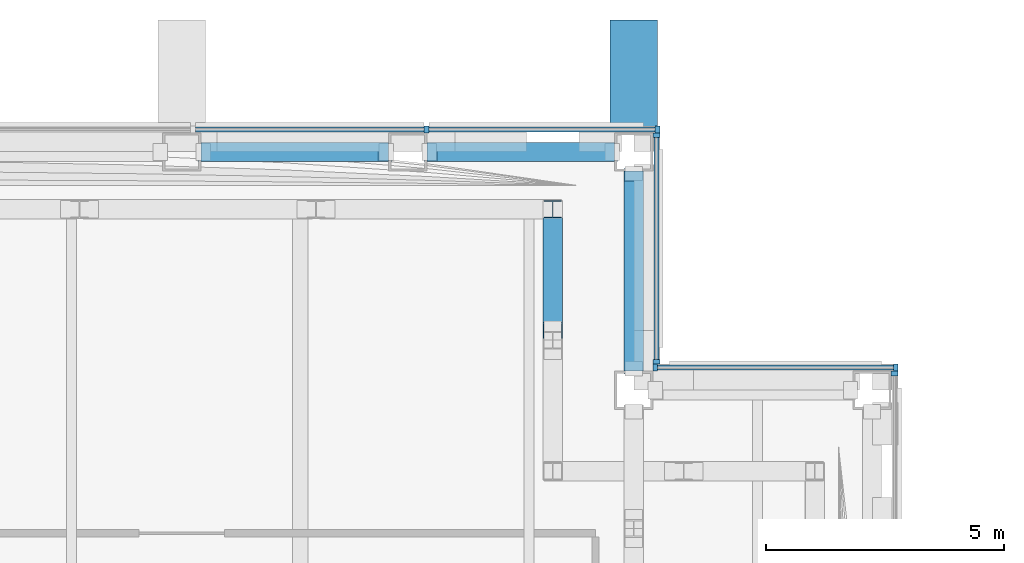
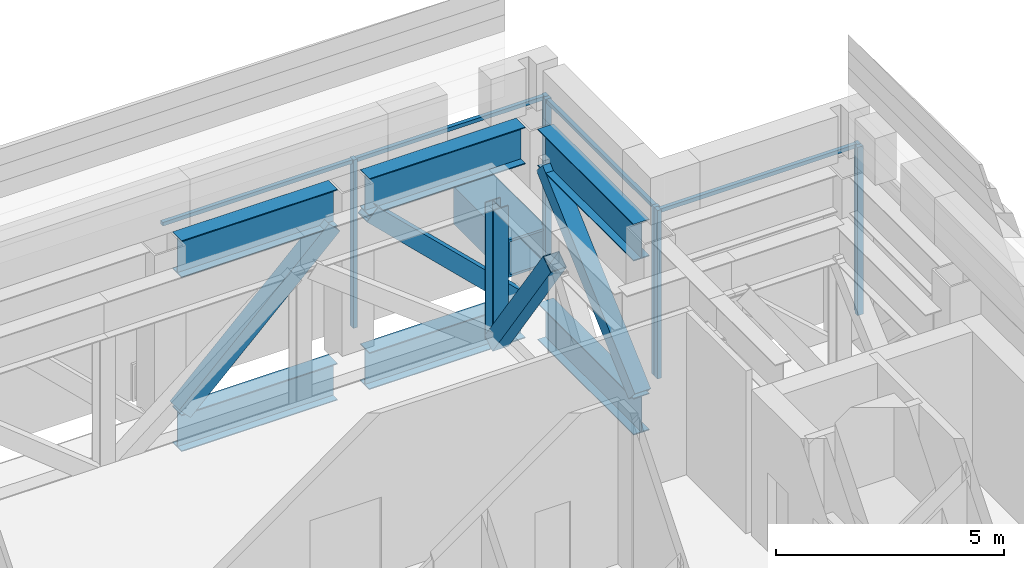
# One storey, part 9 of 29: 22 members, 1 beam, 4 elements without a shape of their own.
"""IFC4 building model written with IfcOpenShell, lengths in metres."""

from ifc_helpers import new_model, si_unit, direction, frame, origin, origin_2d, place, context, subcontext, project, spatial, rectangle, hollow_rectangle, i_section, extrude, material, material_profile, profile_set, type_object, element, aggregate, save


model = new_model("IFC4")

# Units and contexts
model_context = context("Model", 3, precision=1e-05, world=origin(), true_north=direction((0.0, 1.0)))
body_context = subcontext(model_context, "Body", "Model", "MODEL_VIEW")
ifc_project = project(units=[si_unit("LENGTHUNIT", "METRE"), si_unit("AREAUNIT", "SQUARE_METRE"), si_unit("VOLUMEUNIT", "CUBIC_METRE"), si_unit("PLANEANGLEUNIT", "RADIAN"), si_unit("MASSUNIT", "GRAM", prefix="KILO")], contexts=[model_context])

# Site, building, storey
site_placement = place(None, origin())
site = spatial("IfcSite", under=ifc_project, at=site_placement, CompositionType="ELEMENT")
building_placement = place(site_placement, origin())
building = spatial("IfcBuilding", under=site, at=building_placement, Name="Cobrizo Arcos Hotel Tower", CompositionType="ELEMENT")
storey_placement = place(building_placement, frame((0.0, 0.0, 186.5)))
storey = spatial("IfcBuildingStorey", under=building, at=storey_placement, Name="L48", CompositionType="ELEMENT", Elevation=186.5)

# Beam
ifc_material_1 = material(Name="Steel ASTM A572 Grade 50", Category="steel")
ifc_material_profile_1 = material_profile(ifc_material_1, hollow_rectangle(XDim=1.0, YDim=1.0, WallThickness=0.06005859375, at=origin_2d()), Name="BOX 1000X1000X60")
ifc_profile_set_1 = profile_set([ifc_material_profile_1], Name="Steel ASTM A572 Grade 50")
beam_type = type_object("IfcBeamType", Name="BOX 1000X1000X60 brace connector strut", PredefinedType="BEAM", material=ifc_profile_set_1)
beam_placement = place(storey_placement, frame((16.60009765625, 21.989990234375, 0.5), z_axis=(0.0, 1.0, 0.0), x_axis=(-1.0, 0.0, 0.0)))
element("IfcBeam", 1, at=beam_placement, inside=storey, type_object=beam_type, Name="Perimeter brace stub BS1, zone Z3, north face, offset +16.60 m, L48", PredefinedType="BEAM", context=body_context, shape_type="SweptSolid", body=[
    extrude(hollow_rectangle(XDim=1.0, YDim=1.0, WallThickness=0.06005859375, at=origin_2d()), origin(), (0.0, 0.0, 1.0), 2.380126953125),
])

# Curtain wall, member
ifc_material_2 = material(Name="Aluminium 6063-T6 anodised bronze", Category="aluminium")
curtain_wall_type = type_object("IfcCurtainWallType", Name="CW-D plant louvre wall", PredefinedType="NOTDEFINED", material=ifc_material_2)
curtain_wall_1_placement = place(storey_placement, origin())
curtain_wall_1 = element("IfcCurtainWall", 2, at=curtain_wall_1_placement, inside=storey, type_object=curtain_wall_type, Name="CW-D L48 E face", PredefinedType="NOTDEFINED")
ifc_material_profile_2 = material_profile(ifc_material_2, rectangle(XDim=0.14990234375, YDim=0.10009765625, at=origin_2d()), Name="CW-D mullion 150x100")
ifc_profile_set_2 = profile_set([ifc_material_profile_2], Name="Aluminium 6063-T6 anodised bronze")
member_type_1 = type_object("IfcMemberType", Name="CW-D mullion 150x100", PredefinedType="MULLION", material=ifc_profile_set_2)
member_1_placement = place(storey_placement, frame((22.074951171875, 16.949951171875, 0.0), z_axis=(0.0, 0.0, 1.0), x_axis=(1.0, 0.0, 0.0)))
member_1 = element("IfcMember", 3, at=member_1_placement, type_object=member_type_1, Name="CW-D mullion 3", PredefinedType="MULLION", context=body_context, shape_type="SweptSolid", body=[
    extrude(rectangle(XDim=0.14990234375, YDim=0.10009765625, at=origin_2d()), origin(), (0.0, 0.0, 1.0), 4.5),
])
aggregate(curtain_wall_1, [member_1])

# Curtain wall, members
curtain_wall_2_placement = place(storey_placement, origin())
curtain_wall_2 = element("IfcCurtainWall", 4, at=curtain_wall_2_placement, inside=storey, type_object=curtain_wall_type, Name="CW-D L48 N face", PredefinedType="NOTDEFINED")
member_2_placement = place(storey_placement, frame((22.10009765625, 17.074951171875, 0.0), z_axis=(0.0, 0.0, 1.0), x_axis=(0.0, 1.0, 0.0)))
member_2 = element("IfcMember", 5, at=member_2_placement, type_object=member_type_1, Name="CW-D mullion 1", PredefinedType="MULLION", context=body_context, shape_type="SweptSolid", body=[
    extrude(rectangle(XDim=0.14990234375, YDim=0.10009765625, at=origin_2d()), origin(), (0.0, 0.0, 1.0), 4.5),
])
member_3_placement = place(storey_placement, frame((17.050048828125, 17.074951171875, 0.0), z_axis=(0.0, 0.0, 1.0), x_axis=(0.0, 1.0, 0.0)))
member_3 = element("IfcMember", 6, at=member_3_placement, type_object=member_type_1, Name="CW-D mullion 2", PredefinedType="MULLION", context=body_context, shape_type="SweptSolid", body=[
    extrude(rectangle(XDim=0.14990234375, YDim=0.10009765625, at=origin_2d()), origin(), (0.0, 0.0, 1.0), 4.5),
])

curtain_wall_3_placement = place(storey_placement, origin())
curtain_wall_3 = element("IfcCurtainWall", 7, at=curtain_wall_3_placement, inside=storey, type_object=curtain_wall_type, Name="CW-D L48 E face", PredefinedType="NOTDEFINED")
member_4_placement = place(storey_placement, frame((17.074951171875, 17.199951171875, 0.0), z_axis=(0.0, 0.0, 1.0), x_axis=(1.0, 0.0, 0.0)))
member_4 = element("IfcMember", 8, at=member_4_placement, type_object=member_type_1, Name="CW-D mullion 1", PredefinedType="MULLION", context=body_context, shape_type="SweptSolid", body=[
    extrude(rectangle(XDim=0.14990234375, YDim=0.10009765625, at=origin_2d()), origin(), (0.0, 0.0, 1.0), 4.5),
])
member_5_placement = place(storey_placement, frame((17.074951171875, 21.949951171875, 0.0), z_axis=(0.0, 0.0, 1.0), x_axis=(1.0, 0.0, 0.0)))
member_5 = element("IfcMember", 9, at=member_5_placement, type_object=member_type_1, Name="CW-D mullion 2", PredefinedType="MULLION", context=body_context, shape_type="SweptSolid", body=[
    extrude(rectangle(XDim=0.14990234375, YDim=0.10009765625, at=origin_2d()), origin(), (0.0, 0.0, 1.0), 4.5),
])

curtain_wall_4_placement = place(storey_placement, origin())
curtain_wall_4 = element("IfcCurtainWall", 10, at=curtain_wall_4_placement, inside=storey, type_object=curtain_wall_type, Name="CW-D L48 N face", PredefinedType="NOTDEFINED")
member_6_placement = place(storey_placement, frame((17.10009765625, 22.074951171875, 0.0), z_axis=(0.0, 0.0, 1.0), x_axis=(0.0, 1.0, 0.0)))
member_6 = element("IfcMember", 11, at=member_6_placement, type_object=member_type_1, Name="CW-D mullion 1", PredefinedType="MULLION", context=body_context, shape_type="SweptSolid", body=[
    extrude(rectangle(XDim=0.14990234375, YDim=0.10009765625, at=origin_2d()), origin(), (0.0, 0.0, 1.0), 4.5),
])
member_7_placement = place(storey_placement, frame((12.25, 22.074951171875, 0.0), z_axis=(0.0, 0.0, 1.0), x_axis=(0.0, 1.0, 0.0)))
member_7 = element("IfcMember", 12, at=member_7_placement, type_object=member_type_1, Name="CW-D mullion 2", PredefinedType="MULLION", context=body_context, shape_type="SweptSolid", body=[
    extrude(rectangle(XDim=0.14990234375, YDim=0.10009765625, at=origin_2d()), origin(), (0.0, 0.0, 1.0), 4.5),
])

# Member
ifc_material_profile_3 = material_profile(ifc_material_2, rectangle(XDim=0.10009765625, YDim=0.10009765625, at=origin_2d()), Name="CW-D transom 100x100")
ifc_profile_set_3 = profile_set([ifc_material_profile_3], Name="Aluminium 6063-T6 anodised bronze")
member_type_2 = type_object("IfcMemberType", Name="CW-D transom 100x100", PredefinedType="USERDEFINED", material=ifc_profile_set_3)
member_8_placement = place(storey_placement, frame((22.050048828125, 17.074951171875, 4.449951171875), z_axis=(-1.0, 0.0, 0.0), x_axis=(0.0, -1.0, 0.0)))
member_8 = element("IfcMember", 13, at=member_8_placement, type_object=member_type_2, Name="CW-D transom 1679", ObjectType="TRANSOM", PredefinedType="USERDEFINED", context=body_context, shape_type="SweptSolid", body=[
    extrude(rectangle(XDim=0.10009765625, YDim=0.10009765625, at=origin_2d()), origin(), (0.0, 0.0, 1.0), 4.949951171875),
])

aggregate(curtain_wall_2, [member_2, member_3, member_8])

member_9_placement = place(storey_placement, frame((17.074951171875, 17.25, 4.449951171875), z_axis=(0.0, 1.0, 0.0), x_axis=(-1.0, 0.0, 0.0)))
member_9 = element("IfcMember", 14, at=member_9_placement, type_object=member_type_2, Name="CW-D transom 1680", ObjectType="TRANSOM", PredefinedType="USERDEFINED", context=body_context, shape_type="SweptSolid", body=[
    extrude(rectangle(XDim=0.10009765625, YDim=0.10009765625, at=origin_2d()), origin(), (0.0, 0.0, 1.0), 4.64990234375),
])

aggregate(curtain_wall_3, [member_4, member_5, member_9])

member_10_placement = place(storey_placement, frame((17.050048828125, 22.074951171875, 4.449951171875), z_axis=(-1.0, 0.0, 0.0), x_axis=(0.0, -1.0, 0.0)))
member_10 = element("IfcMember", 15, at=member_10_placement, type_object=member_type_2, Name="CW-D transom 1681", ObjectType="TRANSOM", PredefinedType="USERDEFINED", context=body_context, shape_type="SweptSolid", body=[
    extrude(rectangle(XDim=0.10009765625, YDim=0.10009765625, at=origin_2d()), origin(), (0.0, 0.0, 1.0), 4.75),
])

member_11_placement = place(storey_placement, frame((12.199951171875, 22.074951171875, 4.449951171875), z_axis=(-1.0, 0.0, 0.0), x_axis=(0.0, -1.0, 0.0)))
member_11 = element("IfcMember", 16, at=member_11_placement, type_object=member_type_2, Name="CW-D transom 1682", ObjectType="TRANSOM", PredefinedType="USERDEFINED", context=body_context, shape_type="SweptSolid", body=[
    extrude(rectangle(XDim=0.10009765625, YDim=0.10009765625, at=origin_2d()), origin(), (0.0, 0.0, 1.0), 4.800048828125),
])

aggregate(curtain_wall_4, [member_6, member_7, member_10, member_11])

# Members
ifc_material_3 = material(Name="Steel ASTM A500 Grade C", Category="steel")
ifc_material_profile_4 = material_profile(ifc_material_3, hollow_rectangle(XDim=0.406494140625, YDim=0.406494140625, WallThickness=0.014892578125, at=origin_2d()), Name="HSS16X16X5/8")
ifc_profile_set_4 = profile_set([ifc_material_profile_4], Name="Steel ASTM A500 Grade C")
member_type_3 = type_object("IfcMemberType", Name="HSS16X16X5/8 truss diagonal", PredefinedType="BRACE", material=ifc_profile_set_4)
member_12_placement = place(storey_placement, frame((16.60009765625, 17.080078125, -0.300048828125), z_axis=(0.0, 0.7411568591, 0.671331892739), x_axis=(-1.0, 0.0, 0.0)))
element("IfcMember", 17, at=member_12_placement, inside=storey, type_object=member_type_3, Name="Belt truss diagonal TD1, L48, no. 013", PredefinedType="BRACE", context=body_context, shape_type="SweptSolid", body=[
    extrude(hollow_rectangle(XDim=0.406494140625, YDim=0.406494140625, WallThickness=0.014892578125, at=origin_2d()), origin(), (0.0, 0.0, 1.0), 5.450927734375),
])
member_13_placement = place(storey_placement, frame((16.1201171875, 21.60009765625, -0.300048828125), z_axis=(-0.71876736936, 0.0, 0.695250651739), x_axis=(0.0, -1.0, 0.0)))
element("IfcMember", 18, at=member_13_placement, inside=storey, type_object=member_type_3, Name="Belt truss diagonal TD1, L48, no. 014", PredefinedType="BRACE", context=body_context, shape_type="SweptSolid", body=[
    extrude(hollow_rectangle(XDim=0.406494140625, YDim=0.406494140625, WallThickness=0.014892578125, at=origin_2d()), origin(), (0.0, 0.0, 1.0), 5.263427734375),
])
member_14_placement = place(storey_placement, frame((11.376953125, 21.60009765625, 3.359375), z_axis=(-0.718744947416, 0.0, -0.695273831353), x_axis=(0.0, -1.0, 0.0)))
element("IfcMember", 19, at=member_14_placement, inside=storey, type_object=member_type_3, Name="Belt truss diagonal TD1, L48, no. 015", PredefinedType="BRACE", context=body_context, shape_type="SweptSolid", body=[
    extrude(hollow_rectangle(XDim=0.406494140625, YDim=0.406494140625, WallThickness=0.014892578125, at=origin_2d()), origin(), (0.0, 0.0, 1.0), 5.26318359375),
])
member_15_placement = place(storey_placement, frame((14.89990234375, 17.85009765625, 3.359375), z_axis=(0.0, 0.571686597263, -0.820472080274), x_axis=(-1.0, 0.0, 0.0)))
element("IfcMember", 20, at=member_15_placement, inside=storey, type_object=member_type_3, Name="Belt truss diagonal TD1, L48, no. 042", PredefinedType="BRACE", context=body_context, shape_type="SweptSolid", body=[
    extrude(hollow_rectangle(XDim=0.406494140625, YDim=0.406494140625, WallThickness=0.014892578125, at=origin_2d()), origin(), (0.0, 0.0, 1.0), 4.460205078125),
])
ifc_material_4 = material(Name="Steel ASTM A992 Grade 50", Category="steel")
ifc_material_profile_5 = material_profile(ifc_material_4, i_section(OverallWidth=0.373291015625, OverallDepth=0.373291015625, WebThickness=0.016357421875, FlangeThickness=0.026123046875, at=origin_2d()), Name="W14X132")
ifc_profile_set_5 = profile_set([ifc_material_profile_5], Name="Steel ASTM A992 Grade 50")
member_type_4 = type_object("IfcMemberType", Name="W14X132 truss post", PredefinedType="POST", material=ifc_profile_set_5)
member_16_placement = place(storey_placement, frame((14.89990234375, 20.39990234375, -0.300048828125), z_axis=(0.0, 0.0, 1.0), x_axis=(1.0, 0.0, 0.0)))
element("IfcMember", 21, at=member_16_placement, inside=storey, type_object=member_type_4, Name="Truss post TP1, L48, no. 016", PredefinedType="POST", context=body_context, shape_type="SweptSolid", body=[
    extrude(i_section(OverallWidth=0.373291015625, OverallDepth=0.373291015625, WebThickness=0.016357421875, FlangeThickness=0.026123046875, at=origin_2d()), origin(), (0.0, 0.0, 1.0), 3.659423828125),
])
ifc_material_profile_6 = material_profile(ifc_material_4, i_section(OverallWidth=0.4013671875, OverallDepth=0.990478515625, WebThickness=0.0166015625, FlangeThickness=0.025390625, at=origin_2d()), Name="W40X215")
ifc_profile_set_6 = profile_set([ifc_material_profile_6], Name="Steel ASTM A992 Grade 50")
member_type_5 = type_object("IfcMemberType", Name="W40X215 belt truss chord", PredefinedType="CHORD", material=ifc_profile_set_6)
for number, where, z_axis, x_axis, name in (
    (22, (16.60009765625, 17.0, -0.79541015625), (0.0, 1.0, 0.0), (-1.0, 0.0, 0.0), "Belt truss bottom chord TC1, L48, no. 013"),
    (23, (16.60009765625, 17.0, 3.854736328125), (0.0, 1.0, 0.0), (-1.0, 0.0, 0.0), "Belt truss top chord TC1, L48, no. 013"),
):
    element("IfcMember", number, at=place(storey_placement, frame(where, z_axis=z_axis, x_axis=x_axis)), inside=storey, type_object=member_type_5, Name=name, PredefinedType="CHORD", context=body_context, shape_type="SweptSolid", body=[
        extrude(i_section(OverallWidth=0.4013671875, OverallDepth=0.990478515625, WebThickness=0.0166015625, FlangeThickness=0.025390625, at=origin_2d()), origin(), (0.0, 0.0, 1.0), 4.199951171875),
    ])
member_17_placement = place(storey_placement, frame((16.199951171875, 21.60009765625, -0.79541015625), z_axis=(-1.0, 0.0, 0.0), x_axis=(0.0, -1.0, 0.0)))
element("IfcMember", 24, at=member_17_placement, inside=storey, type_object=member_type_5, Name="Belt truss bottom chord TC1, L48, no. 014", PredefinedType="CHORD", context=body_context, shape_type="SweptSolid", body=[
    extrude(i_section(OverallWidth=0.4013671875, OverallDepth=0.990478515625, WebThickness=0.0166015625, FlangeThickness=0.025390625, at=origin_2d()), origin(), (0.0, 0.0, 1.0), 3.94287109375),
])
member_18_placement = place(storey_placement, frame((11.45703125, 21.60009765625, -0.79541015625), z_axis=(-1.0, 0.0, 0.0), x_axis=(0.0, -1.0, 0.0)))
element("IfcMember", 25, at=member_18_placement, inside=storey, type_object=member_type_5, Name="Belt truss bottom chord TC1, L48, no. 015", PredefinedType="CHORD", context=body_context, shape_type="SweptSolid", body=[
    extrude(i_section(OverallWidth=0.4013671875, OverallDepth=0.990478515625, WebThickness=0.0166015625, FlangeThickness=0.025390625, at=origin_2d()), origin(), (0.0, 0.0, 1.0), 3.943115234375),
])
member_19_placement = place(storey_placement, frame((16.199951171875, 21.60009765625, 3.854736328125), z_axis=(-1.0, 0.0, 0.0), x_axis=(0.0, -1.0, 0.0)))
element("IfcMember", 26, at=member_19_placement, inside=storey, type_object=member_type_5, Name="Belt truss top chord TC1, L48, no. 014", PredefinedType="CHORD", context=body_context, shape_type="SweptSolid", body=[
    extrude(i_section(OverallWidth=0.4013671875, OverallDepth=0.990478515625, WebThickness=0.0166015625, FlangeThickness=0.025390625, at=origin_2d()), origin(), (0.0, 0.0, 1.0), 3.94287109375),
])
member_20_placement = place(storey_placement, frame((11.45703125, 21.60009765625, 3.854736328125), z_axis=(-1.0, 0.0, 0.0), x_axis=(0.0, -1.0, 0.0)))
element("IfcMember", 27, at=member_20_placement, inside=storey, type_object=member_type_5, Name="Belt truss top chord TC1, L48, no. 015", PredefinedType="CHORD", context=body_context, shape_type="SweptSolid", body=[
    extrude(i_section(OverallWidth=0.4013671875, OverallDepth=0.990478515625, WebThickness=0.0166015625, FlangeThickness=0.025390625, at=origin_2d()), origin(), (0.0, 0.0, 1.0), 3.943115234375),
])

save(model, "model.ifc")
